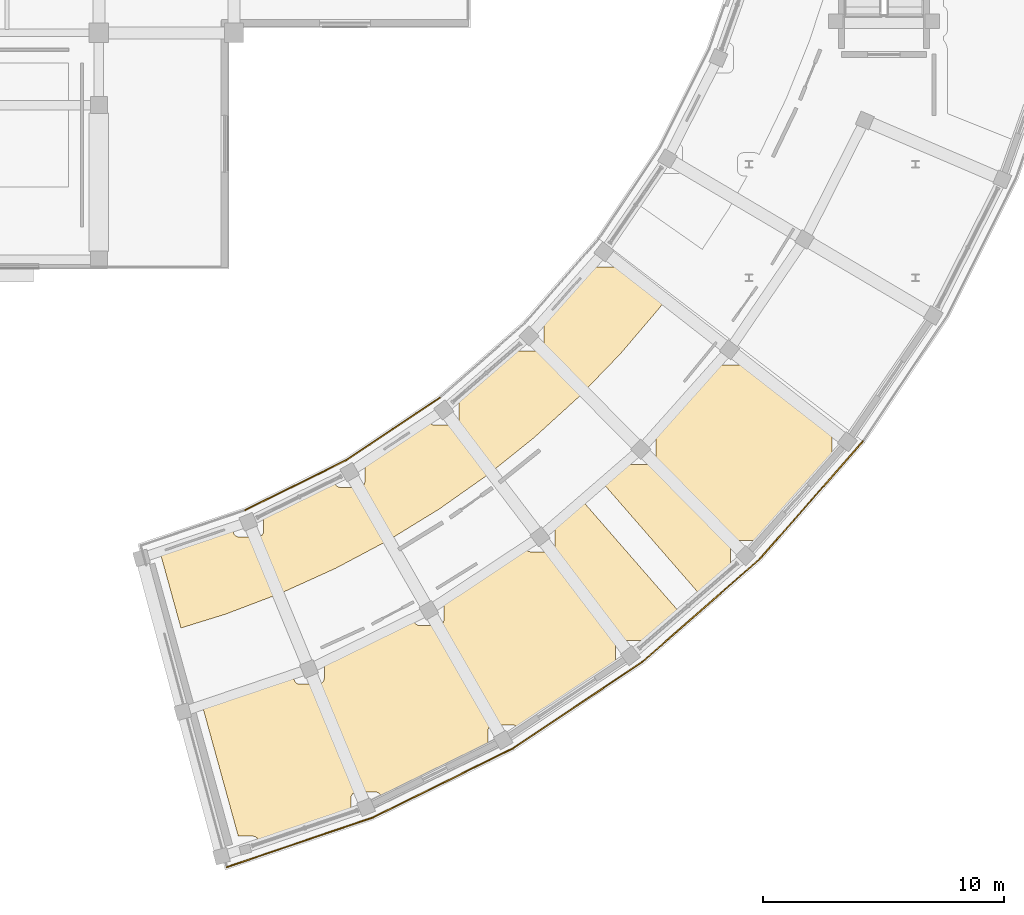
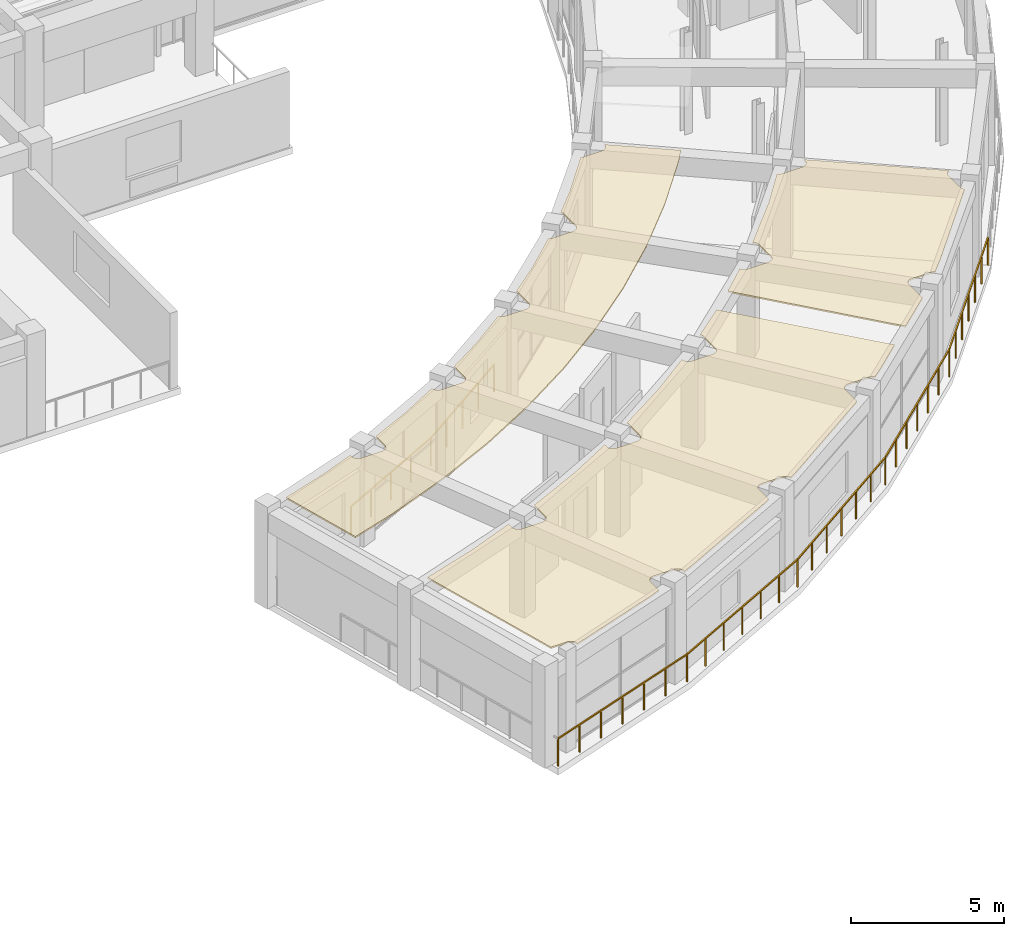
# One storey, part 62 of 70: 7 railings, 3 coverings.
"""IFC4 building model written with IfcOpenShell, lengths in metres."""

from ifc_helpers import new_model, si_unit, direction, frame, origin, origin_2d, place, context, subcontext, project, spatial, polyline, rectangle, outline, extrude, material, layer, layer_set, type_object, element, save


model = new_model("IFC4")

# Units and contexts
model_context = context("Model", 3, precision=1e-05, world=origin(), true_north=direction((0.0, 1.0)))
body_context = subcontext(model_context, "Body", "Model", "MODEL_VIEW")
ifc_project = project(units=[si_unit("LENGTHUNIT", "METRE"), si_unit("AREAUNIT", "SQUARE_METRE"), si_unit("VOLUMEUNIT", "CUBIC_METRE"), si_unit("PLANEANGLEUNIT", "RADIAN"), si_unit("MASSUNIT", "GRAM", prefix="KILO")], contexts=[model_context])

# Site, building, storey
site_placement = place(None, origin())
site = spatial("IfcSite", under=ifc_project, at=site_placement, CompositionType="ELEMENT")
building_placement = place(site_placement, origin())
building = spatial("IfcBuilding", under=site, at=building_placement, Name="Saryqyr Civic Hall", CompositionType="ELEMENT")
storey_placement = place(building_placement, frame((0.0, 0.0, 13.199951171875)))
storey = spatial("IfcBuildingStorey", under=building, at=storey_placement, Name="L03", CompositionType="ELEMENT", Elevation=13.199951171875)

# Coverings
ifc_material_1 = material(Name="Mineral-fibre acoustic ceiling tile", Category="acoustic_tile")
ifc_layer_1 = layer(ifc_material_1, 0.06005859375, Name="Mineral-fibre acoustic ceiling tile")
ifc_layer_set_1 = layer_set([ifc_layer_1], Name="Mineral-fibre acoustic ceiling tile")
covering_type = type_object("IfcCoveringType", Name="INT-COV-CEIL-60", PredefinedType="CEILING", material=ifc_layer_set_1)
covering_1_placement = place(storey_placement, frame((0.0, 0.0, 3.72998046875)))
element("IfcCovering", 1, at=covering_1_placement, inside=storey, type_object=covering_type, Name="Acoustic ceiling Municipal Finance & Treasury Department", PredefinedType="CEILING", context=body_context, shape_type="SweptSolid", body=[
    extrude(outline(polyline([(72.683349609375, 44.2509765625), (72.683349609375, 44.05078125), (72.6845703125, 44.0263671875), (72.68798828125, 44.002197265625), (72.694091796875, 43.978271484375), (72.702392578125, 43.955078125), (72.712890625, 43.93310546875), (72.725341796875, 43.912109375), (72.739990234375, 43.892333984375), (72.756591796875, 43.8740234375), (72.774658203125, 43.857666015625), (72.79443359375, 43.843017578125), (72.8154296875, 43.830322265625), (72.837646484375, 43.81982421875), (72.860595703125, 43.811767578125), (72.884521484375, 43.8056640625), (72.90869140625, 43.802001953125), (72.933349609375, 43.80078125), (73.693359375, 43.80078125), (73.7177734375, 43.802001953125), (73.7421875, 43.8056640625), (73.765869140625, 43.811767578125), (73.7890625, 43.81982421875), (73.81103515625, 43.830322265625), (73.832275390625, 43.843017578125), (73.851806640625, 43.857666015625), (73.8701171875, 43.8740234375), (73.88671875, 43.892333984375), (73.901123046875, 43.912109375), (73.913818359375, 43.93310546875), (73.92431640625, 43.955078125), (73.9326171875, 43.978271484375), (73.9384765625, 44.002197265625), (73.942138671875, 44.0263671875), (73.943359375, 44.05078125), (73.943359375, 44.76416015625), (75.98388671875, 45.696533203125), (76.015380859375, 45.71240234375), (77.64697265625, 46.587890625), (77.64697265625, 46.4833984375), (77.648193359375, 46.458984375), (77.65185546875, 46.4345703125), (77.65771484375, 46.410888671875), (77.666015625, 46.3876953125), (77.676513671875, 46.365478515625), (77.689208984375, 46.344482421875), (77.70361328125, 46.32470703125), (77.72021484375, 46.306640625), (77.73828125, 46.2900390625), (77.758056640625, 46.275390625), (77.779296875, 46.262939453125), (77.80126953125, 46.25244140625), (77.824462890625, 46.244140625), (77.84814453125, 46.23828125), (77.87255859375, 46.234619140625), (77.89697265625, 46.2333984375), (78.656982421875, 46.2333984375), (78.681396484375, 46.234619140625), (78.705810546875, 46.23828125), (78.7294921875, 46.244140625), (78.752685546875, 46.25244140625), (78.77490234375, 46.262939453125), (78.7958984375, 46.275390625), (78.815673828125, 46.2900390625), (78.833740234375, 46.306640625), (78.850341796875, 46.32470703125), (78.864990234375, 46.344482421875), (78.87744140625, 46.365478515625), (78.887939453125, 46.3876953125), (78.896240234375, 46.410888671875), (78.902099609375, 46.4345703125), (78.90576171875, 46.458984375), (78.906982421875, 46.4833984375), (78.906982421875, 47.243408203125), (78.90576171875, 47.267822265625), (78.902099609375, 47.292236328125), (78.899658203125, 47.302001953125), (80.712646484375, 48.4296875), (80.74169921875, 48.44921875), (82.256103515625, 49.531005859375), (82.257080078125, 49.5107421875), (82.260498046875, 49.486572265625), (82.2666015625, 49.462646484375), (82.27490234375, 49.439697265625), (82.285400390625, 49.41748046875), (82.2978515625, 49.396484375), (82.3125, 49.376708984375), (82.3291015625, 49.3583984375), (82.34716796875, 49.342041015625), (82.366943359375, 49.327392578125), (82.387939453125, 49.314697265625), (82.41015625, 49.30419921875), (82.43310546875, 49.296142578125), (82.45703125, 49.2900390625), (82.481201171875, 49.28662109375), (82.505859375, 49.285400390625), (83.265869140625, 49.285400390625), (83.290283203125, 49.28662109375), (83.314697265625, 49.2900390625), (83.33837890625, 49.296142578125), (83.361572265625, 49.30419921875), (83.383544921875, 49.314697265625), (83.40478515625, 49.327392578125), (83.42431640625, 49.342041015625), (83.442626953125, 49.3583984375), (83.458984375, 49.376708984375), (83.4736328125, 49.396484375), (83.486328125, 49.41748046875), (83.496826171875, 49.439697265625), (83.5048828125, 49.462646484375), (83.510986328125, 49.486572265625), (83.5146484375, 49.5107421875), (83.515869140625, 49.535400390625), (83.515869140625, 50.29541015625), (83.5146484375, 50.31982421875), (83.510986328125, 50.343994140625), (83.5048828125, 50.367919921875), (83.496826171875, 50.39111328125), (83.486328125, 50.4130859375), (83.4736328125, 50.43408203125), (83.464599609375, 50.446533203125), (84.641357421875, 51.406494140625), (88.668212890625, 46.780029296875), (87.70068359375, 45.931396484375), (87.20166015625, 45.5244140625), (87.1923828125, 45.53466796875), (87.17431640625, 45.551025390625), (87.154541015625, 45.565673828125), (87.13330078125, 45.578369140625), (87.111328125, 45.5888671875), (87.088134765625, 45.596923828125), (87.064453125, 45.60302734375), (87.0400390625, 45.606689453125), (87.015625, 45.60791015625), (86.255615234375, 45.60791015625), (86.231201171875, 45.606689453125), (86.206787109375, 45.60302734375), (86.18310546875, 45.596923828125), (86.159912109375, 45.5888671875), (86.1376953125, 45.578369140625), (86.11669921875, 45.565673828125), (86.096923828125, 45.551025390625), (86.078857421875, 45.53466796875), (86.062255859375, 45.516357421875), (86.047607421875, 45.49658203125), (86.03515625, 45.4755859375), (86.024658203125, 45.45361328125), (86.016357421875, 45.430419921875), (86.010498046875, 45.406494140625), (86.0068359375, 45.38232421875), (86.005615234375, 45.35791015625), (86.005615234375, 44.619140625), (85.869873046875, 44.522216796875), (82.44189453125, 42.231689453125), (81.976318359375, 41.942138671875), (81.97021484375, 41.95947265625), (81.959716796875, 41.9814453125), (81.947021484375, 42.002685546875), (81.932373046875, 42.022216796875), (81.916015625, 42.04052734375), (81.897705078125, 42.056884765625), (81.8779296875, 42.071533203125), (81.85693359375, 42.084228515625), (81.834716796875, 42.0947265625), (81.811767578125, 42.102783203125), (81.787841796875, 42.10888671875), (81.763671875, 42.112548828125), (81.739013671875, 42.11376953125), (80.97900390625, 42.11376953125), (80.95458984375, 42.112548828125), (80.930419921875, 42.10888671875), (80.906494140625, 42.102783203125), (80.88330078125, 42.0947265625), (80.861328125, 42.084228515625), (80.840087890625, 42.071533203125), (80.820556640625, 42.056884765625), (80.80224609375, 42.04052734375), (80.785888671875, 42.022216796875), (80.771240234375, 42.002685546875), (80.758544921875, 41.9814453125), (80.748046875, 41.95947265625), (80.739990234375, 41.936279296875), (80.73388671875, 41.91259765625), (80.730224609375, 41.88818359375), (80.72900390625, 41.86376953125), (80.72900390625, 41.232421875), (80.432373046875, 41.072998046875), (76.723388671875, 39.243896484375), (76.306396484375, 39.0537109375), (76.306396484375, 39.078857421875), (76.30517578125, 39.103515625), (76.301513671875, 39.127685546875), (76.295654296875, 39.151611328125), (76.287353515625, 39.174560546875), (76.27685546875, 39.19677734375), (76.264404296875, 39.2177734375), (76.249755859375, 39.237548828125), (76.233154296875, 39.255615234375), (76.215087890625, 39.272216796875), (76.1953125, 39.286865234375), (76.17431640625, 39.29931640625), (76.152099609375, 39.309814453125), (76.12890625, 39.318115234375), (76.105224609375, 39.32421875), (76.080810546875, 39.32763671875), (76.056396484375, 39.328857421875), (75.29638671875, 39.328857421875), (75.27197265625, 39.32763671875), (75.24755859375, 39.32421875), (75.223876953125, 39.318115234375), (75.20068359375, 39.309814453125), (75.1787109375, 39.29931640625), (75.157470703125, 39.286865234375), (75.1376953125, 39.272216796875), (75.11962890625, 39.255615234375), (75.10302734375, 39.237548828125), (75.08837890625, 39.2177734375), (75.075927734375, 39.19677734375), (75.0654296875, 39.174560546875), (75.05712890625, 39.151611328125), (75.05126953125, 39.127685546875), (75.047607421875, 39.103515625), (75.04638671875, 39.078857421875), (75.04638671875, 38.5419921875), (74.609619140625, 38.375244140625), (71.2255859375, 37.24072265625), (71.2255859375, 37.25048828125), (71.224365234375, 37.275146484375), (71.220703125, 37.29931640625), (71.21484375, 37.3232421875), (71.20654296875, 37.34619140625), (71.196044921875, 37.368408203125), (71.18359375, 37.389404296875), (71.1689453125, 37.4091796875), (71.15234375, 37.427490234375), (71.13427734375, 37.44384765625), (71.114501953125, 37.45849609375), (71.093505859375, 37.47119140625), (71.0712890625, 37.481689453125), (71.048095703125, 37.48974609375), (71.0244140625, 37.495849609375), (71.0, 37.49951171875), (70.9755859375, 37.50048828125), (70.378662109375, 37.50048828125), (68.878173828125, 42.94775390625), (70.9453125, 43.5888671875), (70.978759765625, 43.600341796875), (72.683349609375, 44.2509765625)])), origin(), (0.0, 0.0, 1.0), 0.06005859375),
])
covering_2_placement = place(storey_placement, frame((0.0, 0.0, 3.72998046875)))
element("IfcCovering", 2, at=covering_2_placement, inside=storey, type_object=covering_type, Name="Acoustic ceiling Economic Development & Investment Office", PredefinedType="CEILING", context=body_context, shape_type="SweptSolid", body=[
    extrude(outline(polyline([(86.457275390625, 53.048583984375), (86.46240234375, 53.0380859375), (86.474853515625, 53.016845703125), (86.489501953125, 52.997314453125), (86.506103515625, 52.97900390625), (86.524169921875, 52.96240234375), (86.5439453125, 52.947998046875), (86.56494140625, 52.935302734375), (86.587158203125, 52.9248046875), (86.610107421875, 52.91650390625), (86.634033203125, 52.91064453125), (86.658203125, 52.906982421875), (86.682861328125, 52.90576171875), (87.44287109375, 52.90576171875), (87.46728515625, 52.906982421875), (87.49169921875, 52.91064453125), (87.515380859375, 52.91650390625), (87.53857421875, 52.9248046875), (87.560546875, 52.935302734375), (87.581787109375, 52.947998046875), (87.601318359375, 52.96240234375), (87.61962890625, 52.97900390625), (87.635986328125, 52.997314453125), (87.650634765625, 53.016845703125), (87.663330078125, 53.0380859375), (87.673828125, 53.06005859375), (87.681884765625, 53.083251953125), (87.68798828125, 53.10693359375), (87.691650390625, 53.13134765625), (87.69287109375, 53.15576171875), (87.69287109375, 53.915771484375), (87.691650390625, 53.940185546875), (87.68798828125, 53.964599609375), (87.681884765625, 53.98828125), (87.673828125, 54.011474609375), (87.663330078125, 54.03369140625), (87.650634765625, 54.0546875), (87.635986328125, 54.074462890625), (87.61962890625, 54.092529296875), (87.601318359375, 54.109130859375), (87.581787109375, 54.123779296875), (87.565673828125, 54.13330078125), (89.143798828125, 55.816650390625), (89.16845703125, 55.844482421875), (90.193115234375, 57.09716796875), (90.19970703125, 57.091064453125), (90.219482421875, 57.076416015625), (90.240478515625, 57.06396484375), (90.2626953125, 57.053466796875), (90.285888671875, 57.045166015625), (90.3095703125, 57.039306640625), (90.333984375, 57.03564453125), (90.3583984375, 57.034423828125), (91.118408203125, 57.034423828125), (91.142822265625, 57.03564453125), (91.167236328125, 57.039306640625), (91.19091796875, 57.045166015625), (91.214111328125, 57.053466796875), (91.236083984375, 57.06396484375), (91.25732421875, 57.076416015625), (91.277099609375, 57.091064453125), (91.295166015625, 57.107666015625), (91.311767578125, 57.125732421875), (91.326416015625, 57.1455078125), (91.3388671875, 57.16650390625), (91.349365234375, 57.188720703125), (91.357666015625, 57.2119140625), (91.363525390625, 57.235595703125), (91.3671875, 57.260009765625), (91.368408203125, 57.284423828125), (91.368408203125, 57.376220703125), (95.162353515625, 54.46484375), (95.14990234375, 54.46044921875), (95.1279296875, 54.449951171875), (95.106689453125, 54.437255859375), (95.087158203125, 54.422607421875), (95.06884765625, 54.40625), (95.052490234375, 54.387939453125), (95.037841796875, 54.368408203125), (95.025146484375, 54.34716796875), (95.0146484375, 54.3251953125), (95.006591796875, 54.302001953125), (95.00048828125, 54.2783203125), (94.996826171875, 54.25390625), (94.99560546875, 54.2294921875), (94.99560546875, 53.469482421875), (94.996826171875, 53.44482421875), (95.00048828125, 53.420654296875), (95.006591796875, 53.396728515625), (95.0146484375, 53.373779296875), (95.025146484375, 53.3515625), (95.037841796875, 53.33056640625), (95.052490234375, 53.310791015625), (95.064208984375, 53.2978515625), (95.019775390625, 53.24365234375), (92.44921875, 50.3125), (91.90234375, 49.7294921875), (91.893310546875, 49.733642578125), (91.870361328125, 49.741943359375), (91.846435546875, 49.747802734375), (91.822265625, 49.75146484375), (91.797607421875, 49.752685546875), (91.03759765625, 49.752685546875), (91.01318359375, 49.75146484375), (90.989013671875, 49.747802734375), (90.965087890625, 49.741943359375), (90.94189453125, 49.733642578125), (90.919921875, 49.72314453125), (90.898681640625, 49.710693359375), (90.879150390625, 49.696044921875), (90.86083984375, 49.679443359375), (90.844482421875, 49.661376953125), (90.829833984375, 49.6416015625), (90.817138671875, 49.62060546875), (90.806640625, 49.598388671875), (90.798583984375, 49.5751953125), (90.79248046875, 49.551513671875), (90.788818359375, 49.527099609375), (90.78759765625, 49.502685546875), (90.78759765625, 48.74267578125), (90.788818359375, 48.71826171875), (90.79248046875, 48.69384765625), (90.798583984375, 48.670166015625), (90.80322265625, 48.656982421875), (90.719482421875, 48.578857421875), (89.510498046875, 47.5185546875), (85.485107421875, 52.14306640625), (86.457275390625, 53.048583984375)])), origin(), (0.0, 0.0, 1.0), 0.06005859375),
])
covering_3_placement = place(storey_placement, frame((0.0, 0.0, 3.72998046875)))
element("IfcCovering", 3, at=covering_3_placement, inside=storey, type_object=covering_type, Name="Acoustic ceiling Standing Committee Room 5 (Audit & Governance)", PredefinedType="CEILING", context=body_context, shape_type="SweptSolid", body=[
    extrude(outline(polyline([(70.167724609375, 50.152587890625), (70.1689453125, 50.128173828125), (70.172607421875, 50.103759765625), (70.178466796875, 50.080078125), (70.186767578125, 50.056884765625), (70.197265625, 50.034912109375), (70.209716796875, 50.013671875), (70.224365234375, 49.993896484375), (70.240966796875, 49.975830078125), (70.259033203125, 49.959228515625), (70.27880859375, 49.944580078125), (70.2998046875, 49.93212890625), (70.322021484375, 49.921630859375), (70.34521484375, 49.913330078125), (70.368896484375, 49.907470703125), (70.393310546875, 49.90380859375), (70.417724609375, 49.902587890625), (71.177734375, 49.902587890625), (71.2021484375, 49.90380859375), (71.2265625, 49.907470703125), (71.250244140625, 49.913330078125), (71.2734375, 49.921630859375), (71.29541015625, 49.93212890625), (71.316650390625, 49.944580078125), (71.336181640625, 49.959228515625), (71.3544921875, 49.975830078125), (71.37109375, 49.993896484375), (71.385498046875, 50.013671875), (71.398193359375, 50.034912109375), (71.40869140625, 50.056884765625), (71.4169921875, 50.080078125), (71.4228515625, 50.103759765625), (71.426513671875, 50.128173828125), (71.427734375, 50.152587890625), (71.427734375, 50.73681640625), (72.99072265625, 51.44580078125), (73.021728515625, 51.4609375), (74.368408203125, 52.176513671875), (74.37060546875, 52.1611328125), (74.376708984375, 52.137451171875), (74.385009765625, 52.1142578125), (74.3955078125, 52.09228515625), (74.407958984375, 52.071044921875), (74.422607421875, 52.051513671875), (74.439208984375, 52.033203125), (74.457275390625, 52.0166015625), (74.47705078125, 52.002197265625), (74.498046875, 51.989501953125), (74.520263671875, 51.97900390625), (74.543212890625, 51.970703125), (74.567138671875, 51.96484375), (74.59130859375, 51.961181640625), (74.615966796875, 51.9599609375), (75.3759765625, 51.9599609375), (75.400390625, 51.961181640625), (75.4248046875, 51.96484375), (75.448486328125, 51.970703125), (75.4716796875, 51.97900390625), (75.49365234375, 51.989501953125), (75.514892578125, 52.002197265625), (75.534423828125, 52.0166015625), (75.552734375, 52.033203125), (75.569091796875, 52.051513671875), (75.583740234375, 52.071044921875), (75.596435546875, 52.09228515625), (75.60693359375, 52.1142578125), (75.614990234375, 52.137451171875), (75.62109375, 52.1611328125), (75.624755859375, 52.185546875), (75.6259765625, 52.2099609375), (75.6259765625, 52.8955078125), (76.940673828125, 53.70361328125), (76.969482421875, 53.72265625), (78.30078125, 54.6611328125), (78.30615234375, 54.65234375), (78.32080078125, 54.6328125), (78.337158203125, 54.614501953125), (78.35546875, 54.597900390625), (78.375, 54.58349609375), (78.396240234375, 54.57080078125), (78.418212890625, 54.560302734375), (78.44140625, 54.552001953125), (78.465087890625, 54.546142578125), (78.489501953125, 54.54248046875), (78.513916015625, 54.541259765625), (79.27392578125, 54.541259765625), (79.298583984375, 54.54248046875), (79.32275390625, 54.546142578125), (79.3466796875, 54.552001953125), (79.36962890625, 54.560302734375), (79.391845703125, 54.57080078125), (79.412841796875, 54.58349609375), (79.4326171875, 54.597900390625), (79.45068359375, 54.614501953125), (79.46728515625, 54.6328125), (79.48193359375, 54.65234375), (79.494384765625, 54.673583984375), (79.5048828125, 54.695556640625), (79.51318359375, 54.71875), (79.519287109375, 54.742431640625), (79.522705078125, 54.766845703125), (79.52392578125, 54.791259765625), (79.52392578125, 55.55126953125), (79.522705078125, 55.57568359375), (79.520751953125, 55.59033203125), (80.576416015625, 56.4384765625), (80.602783203125, 56.460693359375), (81.904541015625, 57.648193359375), (81.907958984375, 57.6455078125), (81.92919921875, 57.633056640625), (81.951171875, 57.62255859375), (81.974365234375, 57.6142578125), (81.998046875, 57.6083984375), (82.0224609375, 57.604736328125), (82.046875, 57.603515625), (82.806884765625, 57.603515625), (82.831298828125, 57.604736328125), (82.855712890625, 57.6083984375), (82.87939453125, 57.6142578125), (82.902587890625, 57.62255859375), (82.9248046875, 57.633056640625), (82.94580078125, 57.6455078125), (82.965576171875, 57.66015625), (82.983642578125, 57.6767578125), (83.000244140625, 57.69482421875), (83.014892578125, 57.714599609375), (83.02734375, 57.735595703125), (83.037841796875, 57.7578125), (83.046142578125, 57.781005859375), (83.052001953125, 57.8046875), (83.0556640625, 57.8291015625), (83.056884765625, 57.853515625), (83.056884765625, 58.613525390625), (83.0556640625, 58.637939453125), (83.052001953125, 58.662353515625), (83.046142578125, 58.68603515625), (83.037841796875, 58.709228515625), (83.02734375, 58.731201171875), (83.014892578125, 58.751953125), (83.841552734375, 59.606689453125), (83.86474609375, 59.63232421875), (85.11474609375, 61.09912109375), (85.131103515625, 61.0966796875), (85.15576171875, 61.095458984375), (85.915771484375, 61.095458984375), (85.940185546875, 61.0966796875), (85.964599609375, 61.100341796875), (85.98828125, 61.106201171875), (86.011474609375, 61.114501953125), (86.033447265625, 61.125), (86.0546875, 61.1376953125), (86.07421875, 61.152099609375), (86.092529296875, 61.168701171875), (86.10888671875, 61.18701171875), (86.12353515625, 61.20654296875), (86.13623046875, 61.227783203125), (86.146728515625, 61.249755859375), (86.15478515625, 61.27294921875), (86.160888671875, 61.296630859375), (86.16455078125, 61.321044921875), (86.165771484375, 61.345458984375), (86.165771484375, 61.368408203125), (88.164306640625, 59.834716796875), (87.813232421875, 59.3662109375), (86.20751953125, 57.48193359375), (84.48681640625, 55.702392578125), (82.657958984375, 54.0341796875), (80.727783203125, 52.48388671875), (78.70458984375, 51.0576171875), (76.595703125, 49.76123046875), (74.40966796875, 48.599609375), (72.155029296875, 47.577392578125), (69.8408203125, 46.698486328125), (68.001708984375, 46.12939453125), (67.157470703125, 49.194580078125), (68.78955078125, 49.69970703125), (68.822265625, 49.7109375), (70.167724609375, 50.221923828125), (70.167724609375, 50.152587890625)])), origin(), (0.0, 0.0, 1.0), 0.06005859375),
])

# Railings
ifc_material_2 = material(Name="Warm brushed brass and laminated glass", Category="glass")
ifc_layer_2 = layer(ifc_material_2, 0.06005859375, Name="Warm brushed brass and laminated glass")
ifc_layer_set_2 = layer_set([ifc_layer_2], Name="Warm brushed brass and laminated glass")
railing_type = type_object("IfcRailingType", Name="INT-RLG-BAL-1100", PredefinedType="BALUSTRADE", material=ifc_layer_set_2)
railing_1_placement = place(storey_placement, frame((96.270751953125, 53.866455078125, 0.0)))
element("IfcRailing", 4, at=railing_1_placement, inside=storey, type_object=railing_type, Name="Interior deck safety balustrade L03-065", PredefinedType="BALUSTRADE", context=body_context, shape_type="SweptSolid", body=[
    extrude(rectangle(XDim=0.048095703125, YDim=0.048095703125, at=origin_2d()), frame((0.0, 0.0, 1.09619140625), z_axis=(-0.659326405009, -0.751856829228, 0.0), x_axis=(0.751856829228, -0.659326405009, 0.0)), (0.0, 0.0, 1.0), 6.474853515625),
    extrude(rectangle(XDim=0.0419921875, YDim=0.0419921875, at=origin_2d()), origin(), (0.0, 0.0, 1.0), 1.072021484375),
    extrude(rectangle(XDim=0.0419921875, YDim=0.0419921875, at=origin_2d()), frame((-0.71142578125, -0.811279296875, 0.0)), (0.0, 0.0, 1.0), 1.072021484375),
    extrude(rectangle(XDim=0.0419921875, YDim=0.0419921875, at=origin_2d()), frame((-1.423095703125, -1.622802734375, 0.0)), (0.0, 0.0, 1.0), 1.072021484375),
    extrude(rectangle(XDim=0.0419921875, YDim=0.0419921875, at=origin_2d()), frame((-2.134521484375, -2.43408203125, 0.0)), (0.0, 0.0, 1.0), 1.072021484375),
    extrude(rectangle(XDim=0.0419921875, YDim=0.0419921875, at=origin_2d()), frame((-2.845947265625, -3.245361328125, 0.0)), (0.0, 0.0, 1.0), 1.072021484375),
    extrude(rectangle(XDim=0.0419921875, YDim=0.0419921875, at=origin_2d()), frame((-3.5576171875, -4.056884765625, 0.0)), (0.0, 0.0, 1.0), 1.072021484375),
    extrude(rectangle(XDim=0.0419921875, YDim=0.0419921875, at=origin_2d()), frame((-4.26904296875, -4.8681640625, 0.0)), (0.0, 0.0, 1.0), 1.072021484375),
])
railing_2_placement = place(storey_placement, frame((92.001708984375, 48.998291015625, 0.0)))
element("IfcRailing", 5, at=railing_2_placement, inside=storey, type_object=railing_type, Name="Interior deck safety balustrade L03-066", PredefinedType="BALUSTRADE", context=body_context, shape_type="SweptSolid", body=[
    extrude(rectangle(XDim=0.048095703125, YDim=0.048095703125, at=origin_2d()), frame((0.0, 0.0, 1.09619140625), z_axis=(-0.751856829228, -0.659326405009, 0.0), x_axis=(0.659326405009, -0.751856829228, 0.0)), (0.0, 0.0, 1.0), 6.474853515625),
    extrude(rectangle(XDim=0.0419921875, YDim=0.0419921875, at=origin_2d()), origin(), (0.0, 0.0, 1.0), 1.072021484375),
    extrude(rectangle(XDim=0.0419921875, YDim=0.0419921875, at=origin_2d()), frame((-0.811279296875, -0.71142578125, 0.0)), (0.0, 0.0, 1.0), 1.072021484375),
    extrude(rectangle(XDim=0.0419921875, YDim=0.0419921875, at=origin_2d()), frame((-1.622802734375, -1.423095703125, 0.0)), (0.0, 0.0, 1.0), 1.072021484375),
    extrude(rectangle(XDim=0.0419921875, YDim=0.0419921875, at=origin_2d()), frame((-2.43408203125, -2.134521484375, 0.0)), (0.0, 0.0, 1.0), 1.072021484375),
    extrude(rectangle(XDim=0.0419921875, YDim=0.0419921875, at=origin_2d()), frame((-3.245361328125, -2.845947265625, 0.0)), (0.0, 0.0, 1.0), 1.072021484375),
    extrude(rectangle(XDim=0.0419921875, YDim=0.0419921875, at=origin_2d()), frame((-4.056884765625, -3.5576171875, 0.0)), (0.0, 0.0, 1.0), 1.072021484375),
    extrude(rectangle(XDim=0.0419921875, YDim=0.0419921875, at=origin_2d()), frame((-4.8681640625, -4.26904296875, 0.0)), (0.0, 0.0, 1.0), 1.072021484375),
])
railing_3_placement = place(storey_placement, frame((87.133544921875, 44.729248046875, 0.0)))
element("IfcRailing", 6, at=railing_3_placement, inside=storey, type_object=railing_type, Name="Interior deck safety balustrade L03-067", PredefinedType="BALUSTRADE", context=body_context, shape_type="SweptSolid", body=[
    extrude(rectangle(XDim=0.048095703125, YDim=0.048095703125, at=origin_2d()), frame((0.0, 0.0, 1.09619140625), z_axis=(-0.831452318502, -0.55559611415, 0.0), x_axis=(0.55559611415, -0.831452318502, 0.0)), (0.0, 0.0, 1.0), 6.474853515625),
    extrude(rectangle(XDim=0.0419921875, YDim=0.0419921875, at=origin_2d()), origin(), (0.0, 0.0, 1.0), 1.072021484375),
    extrude(rectangle(XDim=0.0419921875, YDim=0.0419921875, at=origin_2d()), frame((-0.897216796875, -0.599609375, 0.0)), (0.0, 0.0, 1.0), 1.072021484375),
    extrude(rectangle(XDim=0.0419921875, YDim=0.0419921875, at=origin_2d()), frame((-1.79443359375, -1.19921875, 0.0)), (0.0, 0.0, 1.0), 1.072021484375),
    extrude(rectangle(XDim=0.0419921875, YDim=0.0419921875, at=origin_2d()), frame((-2.69189453125, -1.798828125, 0.0)), (0.0, 0.0, 1.0), 1.072021484375),
    extrude(rectangle(XDim=0.0419921875, YDim=0.0419921875, at=origin_2d()), frame((-3.589111328125, -2.398193359375, 0.0)), (0.0, 0.0, 1.0), 1.072021484375),
    extrude(rectangle(XDim=0.0419921875, YDim=0.0419921875, at=origin_2d()), frame((-4.486328125, -2.997802734375, 0.0)), (0.0, 0.0, 1.0), 1.072021484375),
    extrude(rectangle(XDim=0.0419921875, YDim=0.0419921875, at=origin_2d()), frame((-5.383544921875, -3.597412109375, 0.0)), (0.0, 0.0, 1.0), 1.072021484375),
])
railing_4_placement = place(storey_placement, frame((81.75, 41.1318359375, 0.0)))
element("IfcRailing", 7, at=railing_4_placement, inside=storey, type_object=railing_type, Name="Interior deck safety balustrade L03-068", PredefinedType="BALUSTRADE", context=body_context, shape_type="SweptSolid", body=[
    extrude(rectangle(XDim=0.048095703125, YDim=0.048095703125, at=origin_2d()), frame((0.0, 0.0, 1.09619140625), z_axis=(-0.89689443152, -0.442244704557, 0.0), x_axis=(0.442244704557, -0.89689443152, 0.0)), (0.0, 0.0, 1.0), 6.47509765625),
    extrude(rectangle(XDim=0.0419921875, YDim=0.0419921875, at=origin_2d()), origin(), (0.0, 0.0, 1.0), 1.072021484375),
    extrude(rectangle(XDim=0.0419921875, YDim=0.0419921875, at=origin_2d()), frame((-0.9677734375, -0.477294921875, 0.0)), (0.0, 0.0, 1.0), 1.072021484375),
    extrude(rectangle(XDim=0.0419921875, YDim=0.0419921875, at=origin_2d()), frame((-1.935791015625, -0.95458984375, 0.0)), (0.0, 0.0, 1.0), 1.072021484375),
    extrude(rectangle(XDim=0.0419921875, YDim=0.0419921875, at=origin_2d()), frame((-2.90380859375, -1.431640625, 0.0)), (0.0, 0.0, 1.0), 1.072021484375),
    extrude(rectangle(XDim=0.0419921875, YDim=0.0419921875, at=origin_2d()), frame((-3.87158203125, -1.908935546875, 0.0)), (0.0, 0.0, 1.0), 1.072021484375),
    extrude(rectangle(XDim=0.0419921875, YDim=0.0419921875, at=origin_2d()), frame((-4.83935546875, -2.38623046875, 0.0)), (0.0, 0.0, 1.0), 1.072021484375),
    extrude(rectangle(XDim=0.0419921875, YDim=0.0419921875, at=origin_2d()), frame((-5.807373046875, -2.863525390625, 0.0)), (0.0, 0.0, 1.0), 1.072021484375),
])
railing_5_placement = place(storey_placement, frame((75.942626953125, 38.268310546875, 0.0)))
element("IfcRailing", 8, at=railing_5_placement, inside=storey, type_object=railing_type, Name="Interior deck safety balustrade L03-069", PredefinedType="BALUSTRADE", context=body_context, shape_type="SweptSolid", body=[
    extrude(rectangle(XDim=0.048095703125, YDim=0.048095703125, at=origin_2d()), frame((0.0, 0.0, 1.09619140625), z_axis=(-0.946914589927, -0.321485239761, 0.0), x_axis=(0.321485239761, -0.946914589927, 0.0)), (0.0, 0.0, 1.0), 6.37451171875),
    extrude(rectangle(XDim=0.0419921875, YDim=0.0419921875, at=origin_2d()), origin(), (0.0, 0.0, 1.0), 1.072021484375),
    extrude(rectangle(XDim=0.0419921875, YDim=0.0419921875, at=origin_2d()), frame((-1.006103515625, -0.341552734375, 0.0)), (0.0, 0.0, 1.0), 1.072021484375),
    extrude(rectangle(XDim=0.0419921875, YDim=0.0419921875, at=origin_2d()), frame((-2.011962890625, -0.68310546875, 0.0)), (0.0, 0.0, 1.0), 1.072021484375),
    extrude(rectangle(XDim=0.0419921875, YDim=0.0419921875, at=origin_2d()), frame((-3.01806640625, -1.024658203125, 0.0)), (0.0, 0.0, 1.0), 1.072021484375),
    extrude(rectangle(XDim=0.0419921875, YDim=0.0419921875, at=origin_2d()), frame((-4.024169921875, -1.3662109375, 0.0)), (0.0, 0.0, 1.0), 1.072021484375),
    extrude(rectangle(XDim=0.0419921875, YDim=0.0419921875, at=origin_2d()), frame((-5.030029296875, -1.707763671875, 0.0)), (0.0, 0.0, 1.0), 1.072021484375),
    extrude(rectangle(XDim=0.0419921875, YDim=0.0419921875, at=origin_2d()), frame((-6.0361328125, -2.04931640625, 0.0)), (0.0, 0.0, 1.0), 1.072021484375),
])
railing_6_placement = place(storey_placement, frame((70.661865234375, 51.017333984375, 0.0)))
element("IfcRailing", 9, at=railing_6_placement, inside=storey, type_object=railing_type, Name="Interior deck safety balustrade L03-073", PredefinedType="BALUSTRADE", context=body_context, shape_type="SweptSolid", body=[
    extrude(rectangle(XDim=0.048095703125, YDim=0.048095703125, at=origin_2d()), frame((0.0, 0.0, 1.09619140625), z_axis=(0.896870870578, 0.44229248412, 0.0), x_axis=(-0.44229248412, 0.896870870578, 0.0)), (0.0, 0.0, 1.0), 4.669921875),
    extrude(rectangle(XDim=0.0419921875, YDim=0.0419921875, at=origin_2d()), origin(), (0.0, 0.0, 1.0), 1.072021484375),
    extrude(rectangle(XDim=0.0419921875, YDim=0.0419921875, at=origin_2d()), frame((1.047119140625, 0.516357421875, 0.0)), (0.0, 0.0, 1.0), 1.072021484375),
    extrude(rectangle(XDim=0.0419921875, YDim=0.0419921875, at=origin_2d()), frame((2.09423828125, 1.03271484375, 0.0)), (0.0, 0.0, 1.0), 1.072021484375),
    extrude(rectangle(XDim=0.0419921875, YDim=0.0419921875, at=origin_2d()), frame((3.14111328125, 1.549072265625, 0.0)), (0.0, 0.0, 1.0), 1.072021484375),
    extrude(rectangle(XDim=0.0419921875, YDim=0.0419921875, at=origin_2d()), frame((4.188232421875, 2.0654296875, 0.0)), (0.0, 0.0, 1.0), 1.072021484375),
])
railing_7_placement = place(storey_placement, frame((74.85009765625, 53.082763671875, 0.0)))
element("IfcRailing", 10, at=railing_7_placement, inside=storey, type_object=railing_type, Name="Interior deck safety balustrade L03-074", PredefinedType="BALUSTRADE", context=body_context, shape_type="SweptSolid", body=[
    extrude(rectangle(XDim=0.048095703125, YDim=0.048095703125, at=origin_2d()), frame((0.0, 0.0, 1.09619140625), z_axis=(0.831486832924, 0.555544459674, 0.0), x_axis=(-0.555544459674, 0.831486832924, 0.0)), (0.0, 0.0, 1.0), 4.669677734375),
    extrude(rectangle(XDim=0.0419921875, YDim=0.0419921875, at=origin_2d()), origin(), (0.0, 0.0, 1.0), 1.072021484375),
    extrude(rectangle(XDim=0.0419921875, YDim=0.0419921875, at=origin_2d()), frame((0.970703125, 0.6484375, 0.0)), (0.0, 0.0, 1.0), 1.072021484375),
    extrude(rectangle(XDim=0.0419921875, YDim=0.0419921875, at=origin_2d()), frame((1.94140625, 1.297119140625, 0.0)), (0.0, 0.0, 1.0), 1.072021484375),
    extrude(rectangle(XDim=0.0419921875, YDim=0.0419921875, at=origin_2d()), frame((2.912109375, 1.94580078125, 0.0)), (0.0, 0.0, 1.0), 1.072021484375),
    extrude(rectangle(XDim=0.0419921875, YDim=0.0419921875, at=origin_2d()), frame((3.8828125, 2.59423828125, 0.0)), (0.0, 0.0, 1.0), 1.072021484375),
])

save(model, "model.ifc")
